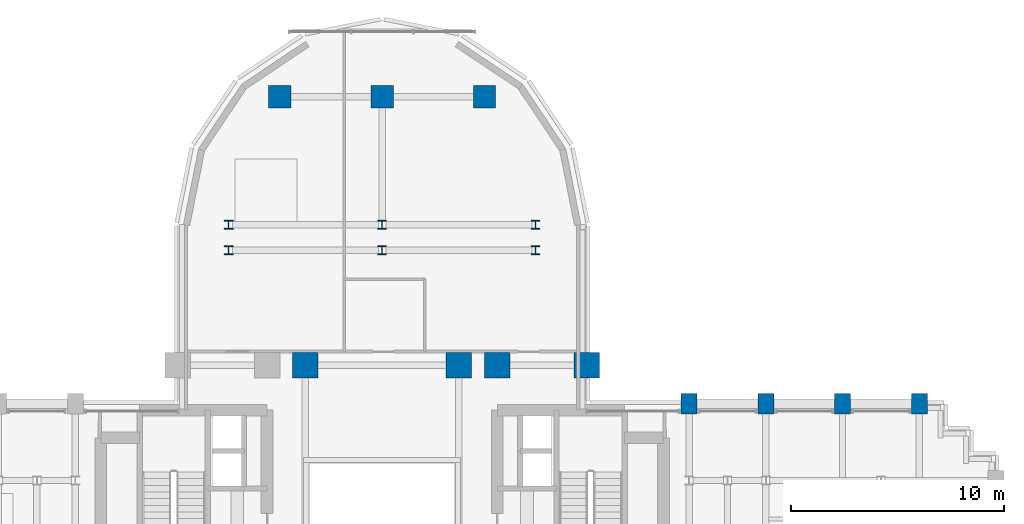
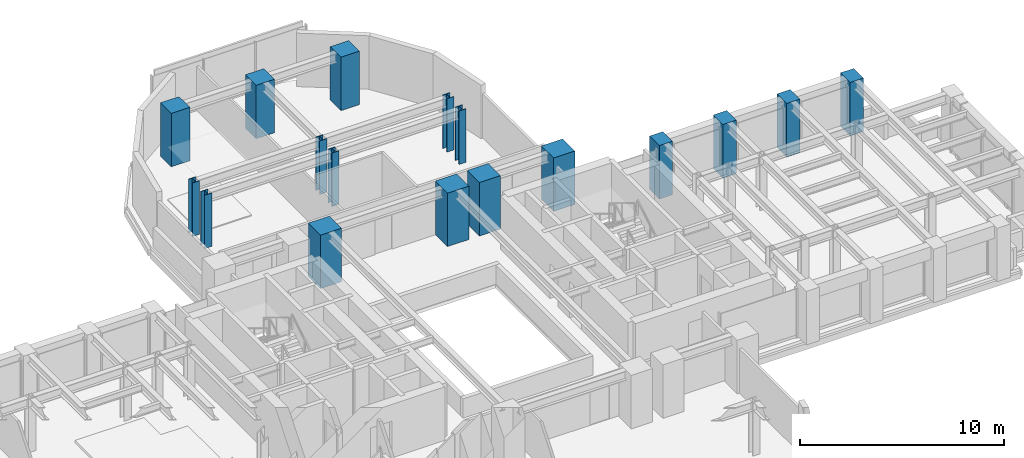
# One storey, part 2 of 16: 17 columns.
"""IFC4 building model written with IfcOpenShell, lengths in metres."""

from ifc_helpers import new_model, si_unit, direction, frame, origin, origin_2d, place, context, subcontext, project, spatial, rectangle, i_section, extrude, source, transform, mapped, material, material_profile, profile_set, type_object, element, save


model = new_model("IFC4")

# Units and contexts
model_context = context("Model", 3, precision=1e-05, world=origin(), true_north=direction((0.0, 1.0)))
body_context = subcontext(model_context, "Body", "Model", "MODEL_VIEW")
ifc_project = project(units=[si_unit("LENGTHUNIT", "METRE"), si_unit("AREAUNIT", "SQUARE_METRE"), si_unit("VOLUMEUNIT", "CUBIC_METRE"), si_unit("PLANEANGLEUNIT", "RADIAN"), si_unit("MASSUNIT", "GRAM", prefix="KILO")], contexts=[model_context])

# Site, building, storey
site_placement = place(None, origin())
site = spatial("IfcSite", under=ifc_project, at=site_placement, CompositionType="ELEMENT")
building_placement = place(site_placement, origin())
building = spatial("IfcBuilding", under=site, at=building_placement, Name="Keilestroom Media Tower", CompositionType="ELEMENT")
storey_placement = place(building_placement, frame((0.0, 0.0, 30.60009765625)))
storey = spatial("IfcBuildingStorey", under=building, at=storey_placement, Name="L06", CompositionType="ELEMENT", Elevation=30.60009765625)

# Columns
ifc_material_1 = material(Name="Precast concrete C40/50", Category="concrete")
ifc_material_profile_1 = material_profile(ifc_material_1, rectangle(XDim=0.75, YDim=0.949951171875, at=origin_2d()), Name="PC 950x750")
ifc_profile_set_1 = profile_set([ifc_material_profile_1], Name="Precast concrete C40/50")
column_type_1 = type_object("IfcColumnType", Name="Structural-Column-PC-950x750", PredefinedType="COLUMN", material=ifc_profile_set_1)
shared_shape_1 = source(origin(), body_context, "Body", "SweptSolid", [
    extrude(rectangle(XDim=0.75, YDim=0.949951171875, at=origin_2d()), origin(), (0.0, 0.0, 1.0), 3.199951171875),
])
for number, where, z_axis, x_axis, name in (
    (1, (14.39990234375, 7.199951171875, 0.0), (0.0, 0.0, 1.0), (1.0, 0.0, 0.0), "L06 Column PC-1 (+14.4,+7.2)"),
    (2, (18.0, 7.199951171875, 0.0), (0.0, 0.0, 1.0), (1.0, 0.0, 0.0), "L06 Column PC-1 (+18.0,+7.2)"),
    (3, (21.60009765625, 7.199951171875, 0.0), (0.0, 0.0, 1.0), (1.0, 0.0, 0.0), "L06 Column PC-1 (+21.6,+7.2)"),
    (4, (25.199951171875, 7.199951171875, 0.0), (0.0, 0.0, 1.0), (1.0, 0.0, 0.0), "L06 Column PC-1 (+25.2,+7.2)"),
):
    element("IfcColumn", number, at=place(storey_placement, frame(where, z_axis=z_axis, x_axis=x_axis)), inside=storey, type_object=column_type_1, Name=name, PredefinedType="COLUMN", context=body_context, shape_type="MappedRepresentation", body=[
        mapped(shared_shape_1, transform((0.0, 0.0, 0.0), x_axis=(1.0, 0.0, 0.0), y_axis=(0.0, 1.0, 0.0), z_axis=(0.0, 0.0, 1.0), scale=1.0)),
    ])
ifc_material_2 = material(Name="Steel S460", Category="steel")
ifc_material_profile_2 = material_profile(ifc_material_2, i_section(OverallWidth=0.404052734375, OverallDepth=0.406982421875, WebThickness=0.02197265625, FlangeThickness=0.035400390625, at=origin_2d()), Name="HD 400x347")
ifc_profile_set_2 = profile_set([ifc_material_profile_2], Name="Steel S460")
column_type_2 = type_object("IfcColumnType", Name="Structural-Column-HD-400x347", PredefinedType="COLUMN", material=ifc_profile_set_2)
shared_shape_2 = source(origin(), body_context, "Body", "SweptSolid", [
    extrude(i_section(OverallWidth=0.404052734375, OverallDepth=0.406982421875, WebThickness=0.02197265625, FlangeThickness=0.035400390625, at=origin_2d()), origin(), (0.0, 0.0, 1.0), 3.199951171875),
])
for number, where, z_axis, x_axis, name in (
    (5, (-7.199951171875, 14.39990234375, 0.0), (0.0, 0.0, 1.0), (1.0, 0.0, 0.0), "L06 Column SC-2 (-7.2,+14.4)"),
    (6, (-7.199951171875, 15.60009765625, 0.0), (0.0, 0.0, 1.0), (1.0, 0.0, 0.0), "L06 Column SC-2 (-7.2,+15.6)"),
    (7, (0.0, 14.39990234375, 0.0), (0.0, 0.0, 1.0), (1.0, 0.0, 0.0), "L06 Column SC-2 (+0.0,+14.4)"),
    (8, (0.0, 15.60009765625, 0.0), (0.0, 0.0, 1.0), (1.0, 0.0, 0.0), "L06 Column SC-2 (+0.0,+15.6)"),
    (9, (7.199951171875, 14.39990234375, 0.0), (0.0, 0.0, 1.0), (1.0, 0.0, 0.0), "L06 Column SC-2 (+7.2,+14.4)"),
    (10, (7.199951171875, 15.60009765625, 0.0), (0.0, 0.0, 1.0), (1.0, 0.0, 0.0), "L06 Column SC-2 (+7.2,+15.6)"),
):
    element("IfcColumn", number, at=place(storey_placement, frame(where, z_axis=z_axis, x_axis=x_axis)), inside=storey, type_object=column_type_2, Name=name, PredefinedType="COLUMN", context=body_context, shape_type="MappedRepresentation", body=[
        mapped(shared_shape_2, transform((0.0, 0.0, 0.0), x_axis=(1.0, 0.0, 0.0), y_axis=(0.0, 1.0, 0.0), z_axis=(0.0, 0.0, 1.0), scale=1.0)),
    ])
ifc_material_3 = material(Name="Concrete C70/85", Category="concrete")
ifc_material_profile_3 = material_profile(ifc_material_3, rectangle(XDim=1.199951171875, YDim=1.199951171875, at=origin_2d()), Name="RC 1200x1200")
ifc_profile_set_3 = profile_set([ifc_material_profile_3], Name="Concrete C70/85")
column_type_3 = type_object("IfcColumnType", Name="Structural-Column-RC-1200x1200", PredefinedType="COLUMN", material=ifc_profile_set_3)
shared_shape_3 = source(origin(), body_context, "Body", "SweptSolid", [
    extrude(rectangle(XDim=1.199951171875, YDim=1.199951171875, at=origin_2d()), origin(), (0.0, 0.0, 1.0), 3.199951171875),
])
for number, where, z_axis, x_axis, name in (
    (11, (-3.60009765625, 9.0, 0.0), (0.0, 0.0, 1.0), (1.0, 0.0, 0.0), "L06 Column MC-2 (-3.6,+9.0)"),
    (12, (3.60009765625, 9.0, 0.0), (0.0, 0.0, 1.0), (1.0, 0.0, 0.0), "L06 Column MC-2 (+3.6,+9.0)"),
    (13, (5.39990234375, 9.0, 0.0), (0.0, 0.0, 1.0), (1.0, 0.0, 0.0), "L06 Column MC-2 (+5.4,+9.0)"),
    (14, (9.60009765625, 9.0, 0.0), (0.0, 0.0, 1.0), (1.0, 0.0, 0.0), "L06 Column MC-2 (+9.6,+9.0)"),
):
    element("IfcColumn", number, at=place(storey_placement, frame(where, z_axis=z_axis, x_axis=x_axis)), inside=storey, type_object=column_type_3, Name=name, PredefinedType="COLUMN", context=body_context, shape_type="MappedRepresentation", body=[
        mapped(shared_shape_3, transform((0.0, 0.0, 0.0), x_axis=(1.0, 0.0, 0.0), y_axis=(0.0, 1.0, 0.0), z_axis=(0.0, 0.0, 1.0), scale=1.0)),
    ])
ifc_material_4 = material(Name="Concrete C55/67", Category="concrete")
ifc_material_profile_4 = material_profile(ifc_material_4, rectangle(XDim=1.050048828125, YDim=1.050048828125, at=origin_2d()), Name="RC 1050x1050")
ifc_profile_set_4 = profile_set([ifc_material_profile_4], Name="Concrete C55/67")
column_type_4 = type_object("IfcColumnType", Name="Structural-Column-RC-1050x1050", PredefinedType="COLUMN", material=ifc_profile_set_4)
shared_shape_4 = source(origin(), body_context, "Body", "SweptSolid", [
    extrude(rectangle(XDim=1.050048828125, YDim=1.050048828125, at=origin_2d()), origin(), (0.0, 0.0, 1.0), 3.199951171875),
])
for number, where, z_axis, x_axis, name in (
    (15, (-4.800048828125, 21.60009765625, 0.0), (0.0, 0.0, 1.0), (1.0, 0.0, 0.0), "L06 Column MC-3 (-4.8,+21.6)"),
    (16, (0.0, 21.60009765625, 0.0), (0.0, 0.0, 1.0), (1.0, 0.0, 0.0), "L06 Column MC-3 (+0.0,+21.6)"),
    (17, (4.800048828125, 21.60009765625, 0.0), (0.0, 0.0, 1.0), (1.0, 0.0, 0.0), "L06 Column MC-3 (+4.8,+21.6)"),
):
    element("IfcColumn", number, at=place(storey_placement, frame(where, z_axis=z_axis, x_axis=x_axis)), inside=storey, type_object=column_type_4, Name=name, PredefinedType="COLUMN", context=body_context, shape_type="MappedRepresentation", body=[
        mapped(shared_shape_4, transform((0.0, 0.0, 0.0), x_axis=(1.0, 0.0, 0.0), y_axis=(0.0, 1.0, 0.0), z_axis=(0.0, 0.0, 1.0), scale=1.0)),
    ])

save(model, "model.ifc")
